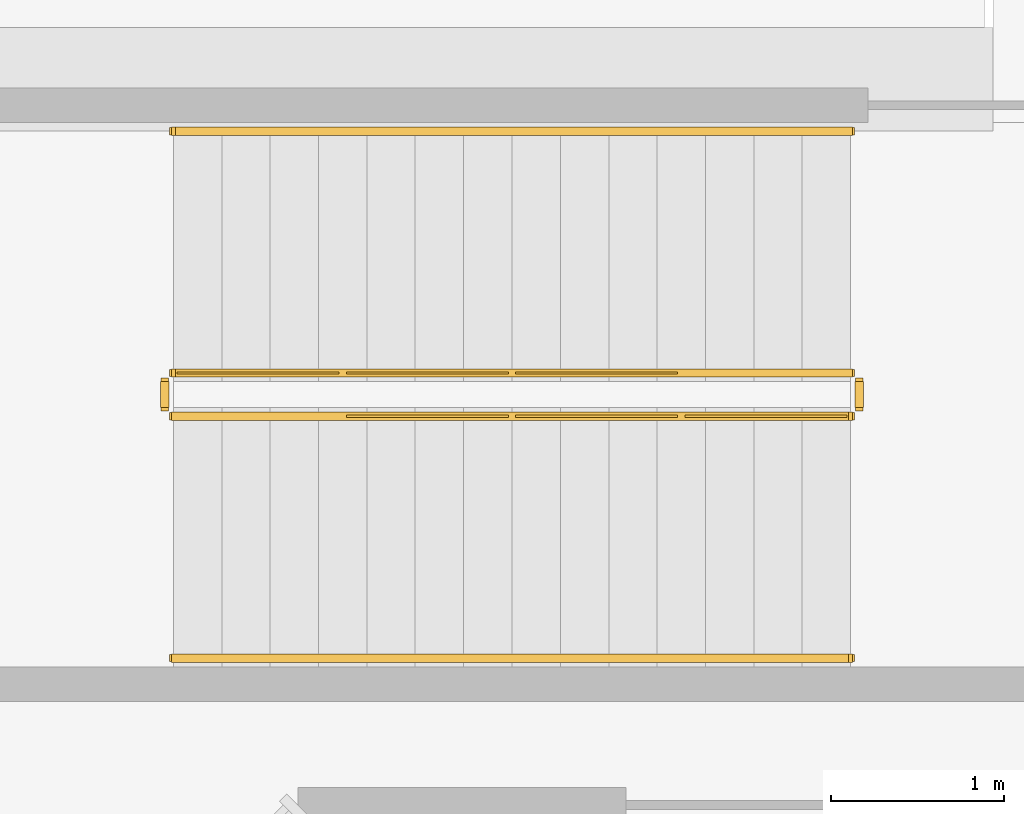
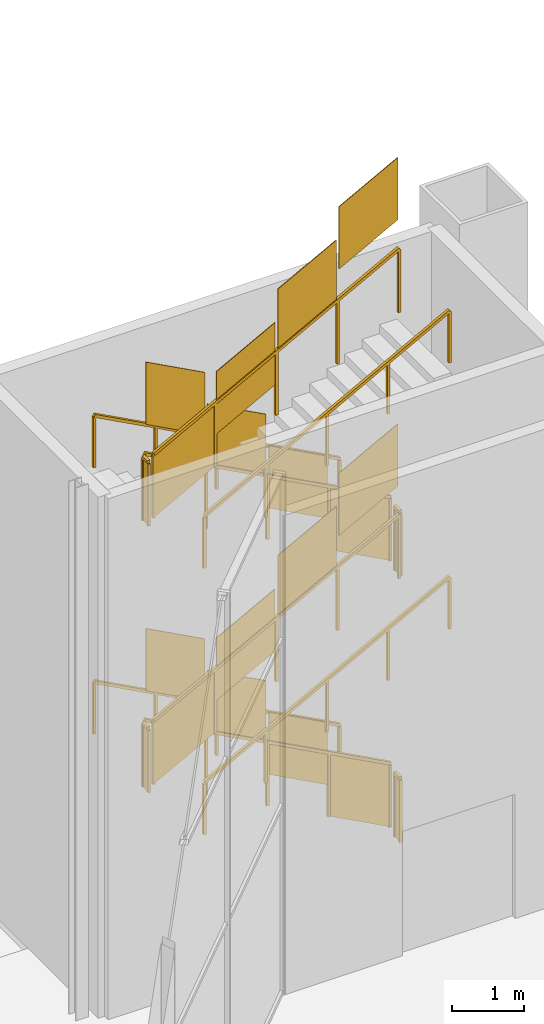
# One storey, part 33 of 38: 12 railings.
"""IFC4 building model written with IfcOpenShell, lengths in metres."""

from ifc_helpers import new_model, si_unit, direction, frame, origin, origin_2d, place, context, subcontext, project, spatial, polyline, rectangle, outline, extrude, material, type_object, element, save


model = new_model("IFC4")

# Units and contexts
model_context = context("Model", 3, precision=1e-05, world=origin(), true_north=direction((0.0, 1.0)))
body_context = subcontext(model_context, "Body", "Model", "MODEL_VIEW")
ifc_project = project(units=[si_unit("LENGTHUNIT", "METRE"), si_unit("AREAUNIT", "SQUARE_METRE"), si_unit("VOLUMEUNIT", "CUBIC_METRE"), si_unit("PLANEANGLEUNIT", "RADIAN"), si_unit("MASSUNIT", "GRAM", prefix="KILO")], contexts=[model_context])

# Site, building, storey
site_placement = place(None, origin())
site = spatial("IfcSite", under=ifc_project, at=site_placement, CompositionType="ELEMENT")
building_placement = place(site_placement, origin())
building = spatial("IfcBuilding", under=site, at=building_placement, Name="Cairn Pilgrim Tower", CompositionType="ELEMENT")
storey_placement = place(building_placement, origin())
storey = spatial("IfcBuildingStorey", under=building, at=storey_placement, Name="L00", CompositionType="ELEMENT", Elevation=0.0)

# Railings
ifc_material = material(Name="Painted steel", Category="steel")
railing_type_1 = type_object("IfcRailingType", Name="PODIUM STAIR GUARD 1100", PredefinedType="GUARDRAIL", material=ifc_material)
railing_1_placement = place(storey_placement, frame((-25.60009765625, 26.5, 0.14990234375)))
element("IfcRailing", 1, at=railing_1_placement, inside=storey, type_object=railing_type_1, Name="L00 ST-HN stair guard 1", PredefinedType="GUARDRAIL", context=body_context, shape_type="SweptSolid", body=[
    extrude(rectangle(XDim=0.048095703125, YDim=0.048095703125, at=origin_2d()), frame((0.0, 0.0, 1.076171875), z_axis=(-0.881466911329, 0.0, 0.472245787945), x_axis=(0.0, -1.0, 0.0)), (0.0, 0.0, 1.0), 4.447021484375),
    extrude(rectangle(XDim=0.0419921875, YDim=0.0419921875, at=origin_2d()), origin(), (0.0, 0.0, 1.0), 1.052001953125),
    extrude(rectangle(XDim=0.0419921875, YDim=0.0419921875, at=origin_2d()), frame((-0.97998046875, 0.0, 0.52490234375)), (0.0, 0.0, 1.0), 1.052001953125),
    extrude(rectangle(XDim=0.0419921875, YDim=0.0419921875, at=origin_2d()), frame((-1.9599609375, 0.0, 1.050048828125)), (0.0, 0.0, 1.0), 1.052001953125),
    extrude(rectangle(XDim=0.0419921875, YDim=0.0419921875, at=origin_2d()), frame((-2.93994140625, 0.0, 1.5751953125)), (0.0, 0.0, 1.0), 1.052001953125),
    extrude(rectangle(XDim=0.0419921875, YDim=0.0419921875, at=origin_2d()), frame((-3.919921875, 0.0, 2.10009765625)), (0.0, 0.0, 1.0), 1.052001953125),
    extrude(outline(polyline([(0.02099609375, 0.01123046875), (0.958984375, 0.513671875), (0.958984375, 1.565673828125), (0.02099609375, 1.063232421875), (0.02099609375, 0.01123046875)])), frame((0.0, -0.005859375, 0.0), z_axis=(0.0, 1.0, 0.0), x_axis=(-1.0, 0.0, 0.0)), (0.0, 0.0, 1.0), 0.011962890625),
    extrude(outline(polyline([(0.02099609375, 0.536376953125), (0.958984375, 1.038818359375), (0.958984375, 2.0908203125), (0.02099609375, 1.58837890625), (0.02099609375, 0.536376953125)])), frame((-0.97998046875, -0.005859375, 0.52490234375), z_axis=(0.0, 1.0, 0.0), x_axis=(-1.0, 0.0, 0.0)), (0.0, 0.0, 1.0), 0.011962890625),
    extrude(outline(polyline([(0.02099609375, 1.061279296875), (0.958984375, 1.563720703125), (0.958984375, 2.61572265625), (0.02099609375, 2.11328125), (0.02099609375, 1.061279296875)])), frame((-1.9599609375, -0.005859375, 1.050048828125), z_axis=(0.0, 1.0, 0.0), x_axis=(-1.0, 0.0, 0.0)), (0.0, 0.0, 1.0), 0.011962890625),
    extrude(outline(polyline([(0.02099609375, 1.58642578125), (0.958984375, 2.0888671875), (0.958984375, 3.140869140625), (0.02099609375, 2.638427734375), (0.02099609375, 1.58642578125)])), frame((-2.93994140625, -0.005859375, 1.5751953125), z_axis=(0.0, 1.0, 0.0), x_axis=(-1.0, 0.0, 0.0)), (0.0, 0.0, 1.0), 0.011962890625),
])
railing_2_placement = place(storey_placement, frame((-29.570068359375, 26.449951171875, 2.25)))
element("IfcRailing", 2, at=railing_2_placement, inside=storey, type_object=railing_type_1, Name="L00 ST-HN stair guard 2", PredefinedType="GUARDRAIL", context=body_context, shape_type="SweptSolid", body=[
    extrude(rectangle(XDim=0.048095703125, YDim=0.048095703125, at=origin_2d()), frame((0.0, 0.0, 1.076171875), z_axis=(0.0, -1.0, 0.0), x_axis=(1.0, 0.0, 0.0)), (0.0, 0.0, 1.0), 0.14990234375),
    extrude(rectangle(XDim=0.0419921875, YDim=0.0419921875, at=origin_2d()), origin(), (0.0, 0.0, 1.0), 1.052001953125),
    extrude(rectangle(XDim=0.0419921875, YDim=0.0419921875, at=origin_2d()), frame((0.0, -0.14990234375, 0.0)), (0.0, 0.0, 1.0), 1.052001953125),
    extrude(outline(polyline([(0.02099609375, 0.0), (0.12890625, 0.0), (0.12890625, 1.052001953125), (0.02099609375, 1.052001953125), (0.02099609375, 0.0)])), frame((0.005859375, 0.0, 0.0), z_axis=(-1.0, 0.0, 0.0), x_axis=(0.0, -1.0, 0.0)), (0.0, 0.0, 1.0), 0.011962890625),
])
railing_3_placement = place(storey_placement, frame((-29.52001953125, 26.25, 2.39990234375)))
element("IfcRailing", 3, at=railing_3_placement, inside=storey, type_object=railing_type_1, Name="L00 ST-HN stair guard 3", PredefinedType="GUARDRAIL", context=body_context, shape_type="SweptSolid", body=[
    extrude(rectangle(XDim=0.048095703125, YDim=0.048095703125, at=origin_2d()), frame((0.0, 0.0, 1.076171875), z_axis=(0.881466911329, 0.0, 0.472245787945), x_axis=(0.0, 1.0, 0.0)), (0.0, 0.0, 1.0), 4.447021484375),
    extrude(rectangle(XDim=0.0419921875, YDim=0.0419921875, at=origin_2d()), origin(), (0.0, 0.0, 1.0), 1.052001953125),
    extrude(rectangle(XDim=0.0419921875, YDim=0.0419921875, at=origin_2d()), frame((0.97998046875, 0.0, 0.52490234375)), (0.0, 0.0, 1.0), 1.052001953125),
    extrude(rectangle(XDim=0.0419921875, YDim=0.0419921875, at=origin_2d()), frame((1.9599609375, 0.0, 1.050048828125)), (0.0, 0.0, 1.0), 1.052001953125),
    extrude(rectangle(XDim=0.0419921875, YDim=0.0419921875, at=origin_2d()), frame((2.93994140625, 0.0, 1.5751953125)), (0.0, 0.0, 1.0), 1.052001953125),
    extrude(rectangle(XDim=0.0419921875, YDim=0.0419921875, at=origin_2d()), frame((3.919921875, 0.0, 2.10009765625)), (0.0, 0.0, 1.0), 1.052001953125),
    extrude(outline(polyline([(0.02099609375, 0.01123046875), (0.958984375, 0.513671875), (0.958984375, 1.565673828125), (0.02099609375, 1.063232421875), (0.02099609375, 0.01123046875)])), frame((0.0, 0.005859375, 0.0), z_axis=(0.0, -1.0, 0.0), x_axis=(1.0, 0.0, 0.0)), (0.0, 0.0, 1.0), 0.011962890625),
    extrude(outline(polyline([(0.02099609375, 0.536376953125), (0.958984375, 1.038818359375), (0.958984375, 2.0908203125), (0.02099609375, 1.58837890625), (0.02099609375, 0.536376953125)])), frame((0.97998046875, 0.005859375, 0.52490234375), z_axis=(0.0, -1.0, 0.0), x_axis=(1.0, 0.0, 0.0)), (0.0, 0.0, 1.0), 0.011962890625),
    extrude(outline(polyline([(0.02099609375, 1.061279296875), (0.958984375, 1.563720703125), (0.958984375, 2.61572265625), (0.02099609375, 2.11328125), (0.02099609375, 1.061279296875)])), frame((1.9599609375, 0.005859375, 1.050048828125), z_axis=(0.0, -1.0, 0.0), x_axis=(1.0, 0.0, 0.0)), (0.0, 0.0, 1.0), 0.011962890625),
    extrude(outline(polyline([(0.02099609375, 1.58642578125), (0.958984375, 2.0888671875), (0.958984375, 3.140869140625), (0.02099609375, 2.638427734375), (0.02099609375, 1.58642578125)])), frame((2.93994140625, 0.005859375, 1.5751953125), z_axis=(0.0, -1.0, 0.0), x_axis=(1.0, 0.0, 0.0)), (0.0, 0.0, 1.0), 0.011962890625),
])
railing_4_placement = place(storey_placement, frame((-25.550048828125, 26.449951171875, 4.5)))
element("IfcRailing", 4, at=railing_4_placement, inside=storey, type_object=railing_type_1, Name="L00 ST-HN stair guard 4", PredefinedType="GUARDRAIL", context=body_context, shape_type="SweptSolid", body=[
    extrude(rectangle(XDim=0.048095703125, YDim=0.048095703125, at=origin_2d()), frame((0.0, 0.0, 1.076171875), z_axis=(0.0, -1.0, 0.0), x_axis=(1.0, 0.0, 0.0)), (0.0, 0.0, 1.0), 0.14990234375),
    extrude(rectangle(XDim=0.0419921875, YDim=0.0419921875, at=origin_2d()), origin(), (0.0, 0.0, 1.0), 1.052001953125),
    extrude(rectangle(XDim=0.0419921875, YDim=0.0419921875, at=origin_2d()), frame((0.0, -0.14990234375, 0.0)), (0.0, 0.0, 1.0), 1.052001953125),
    extrude(outline(polyline([(0.02099609375, 0.0), (0.12890625, 0.0), (0.12890625, 1.052001953125), (0.02099609375, 1.052001953125), (0.02099609375, 0.0)])), frame((0.005859375, 0.0, 0.0), z_axis=(-1.0, 0.0, 0.0), x_axis=(0.0, -1.0, 0.0)), (0.0, 0.0, 1.0), 0.011962890625),
])
railing_5_placement = place(storey_placement, frame((-25.60009765625, 26.5, 4.64990234375)))
element("IfcRailing", 5, at=railing_5_placement, inside=storey, type_object=railing_type_1, Name="L00 ST-HN stair guard 5", PredefinedType="GUARDRAIL", context=body_context, shape_type="SweptSolid", body=[
    extrude(rectangle(XDim=0.048095703125, YDim=0.048095703125, at=origin_2d()), frame((0.0, 0.0, 1.076171875), z_axis=(-0.881466911329, 0.0, 0.472245787945), x_axis=(0.0, -1.0, 0.0)), (0.0, 0.0, 1.0), 4.447021484375),
    extrude(rectangle(XDim=0.0419921875, YDim=0.0419921875, at=origin_2d()), origin(), (0.0, 0.0, 1.0), 1.052001953125),
    extrude(rectangle(XDim=0.0419921875, YDim=0.0419921875, at=origin_2d()), frame((-0.97998046875, 0.0, 0.52490234375)), (0.0, 0.0, 1.0), 1.052001953125),
    extrude(rectangle(XDim=0.0419921875, YDim=0.0419921875, at=origin_2d()), frame((-1.9599609375, 0.0, 1.050048828125)), (0.0, 0.0, 1.0), 1.052001953125),
    extrude(rectangle(XDim=0.0419921875, YDim=0.0419921875, at=origin_2d()), frame((-2.93994140625, 0.0, 1.5751953125)), (0.0, 0.0, 1.0), 1.052001953125),
    extrude(rectangle(XDim=0.0419921875, YDim=0.0419921875, at=origin_2d()), frame((-3.919921875, 0.0, 2.10009765625)), (0.0, 0.0, 1.0), 1.052001953125),
    extrude(outline(polyline([(0.02099609375, 0.01123046875), (0.958984375, 0.513671875), (0.958984375, 1.565673828125), (0.02099609375, 1.063232421875), (0.02099609375, 0.01123046875)])), frame((0.0, -0.005859375, 0.0), z_axis=(0.0, 1.0, 0.0), x_axis=(-1.0, 0.0, 0.0)), (0.0, 0.0, 1.0), 0.011962890625),
    extrude(outline(polyline([(0.02099609375, 0.536376953125), (0.958984375, 1.038818359375), (0.958984375, 2.0908203125), (0.02099609375, 1.58837890625), (0.02099609375, 0.536376953125)])), frame((-0.97998046875, -0.005859375, 0.52490234375), z_axis=(0.0, 1.0, 0.0), x_axis=(-1.0, 0.0, 0.0)), (0.0, 0.0, 1.0), 0.011962890625),
    extrude(outline(polyline([(0.02099609375, 1.061279296875), (0.958984375, 1.563720703125), (0.958984375, 2.61572265625), (0.02099609375, 2.11328125), (0.02099609375, 1.061279296875)])), frame((-1.9599609375, -0.005859375, 1.050048828125), z_axis=(0.0, 1.0, 0.0), x_axis=(-1.0, 0.0, 0.0)), (0.0, 0.0, 1.0), 0.011962890625),
    extrude(outline(polyline([(0.02099609375, 1.58642578125), (0.958984375, 2.0888671875), (0.958984375, 3.140869140625), (0.02099609375, 2.638427734375), (0.02099609375, 1.58642578125)])), frame((-2.93994140625, -0.005859375, 1.5751953125), z_axis=(0.0, 1.0, 0.0), x_axis=(-1.0, 0.0, 0.0)), (0.0, 0.0, 1.0), 0.011962890625),
])
railing_6_placement = place(storey_placement, frame((-29.570068359375, 26.449951171875, 6.75)))
element("IfcRailing", 6, at=railing_6_placement, inside=storey, type_object=railing_type_1, Name="L00 ST-HN stair guard 6", PredefinedType="GUARDRAIL", context=body_context, shape_type="SweptSolid", body=[
    extrude(rectangle(XDim=0.048095703125, YDim=0.048095703125, at=origin_2d()), frame((0.0, 0.0, 1.076171875), z_axis=(0.0, -1.0, 0.0), x_axis=(1.0, 0.0, 0.0)), (0.0, 0.0, 1.0), 0.14990234375),
    extrude(rectangle(XDim=0.0419921875, YDim=0.0419921875, at=origin_2d()), origin(), (0.0, 0.0, 1.0), 1.052001953125),
    extrude(rectangle(XDim=0.0419921875, YDim=0.0419921875, at=origin_2d()), frame((0.0, -0.14990234375, 0.0)), (0.0, 0.0, 1.0), 1.052001953125),
    extrude(outline(polyline([(0.02099609375, 0.0), (0.12890625, 0.0), (0.12890625, 1.052001953125), (0.02099609375, 1.052001953125), (0.02099609375, 0.0)])), frame((0.005859375, 0.0, 0.0), z_axis=(-1.0, 0.0, 0.0), x_axis=(0.0, -1.0, 0.0)), (0.0, 0.0, 1.0), 0.011962890625),
])
railing_7_placement = place(storey_placement, frame((-29.52001953125, 26.25, 6.89990234375)))
element("IfcRailing", 7, at=railing_7_placement, inside=storey, type_object=railing_type_1, Name="L00 ST-HN stair guard 7", PredefinedType="GUARDRAIL", context=body_context, shape_type="SweptSolid", body=[
    extrude(rectangle(XDim=0.048095703125, YDim=0.048095703125, at=origin_2d()), frame((0.0, 0.0, 1.076171875), z_axis=(0.881466911329, 0.0, 0.472245787945), x_axis=(0.0, 1.0, 0.0)), (0.0, 0.0, 1.0), 4.447021484375),
    extrude(rectangle(XDim=0.0419921875, YDim=0.0419921875, at=origin_2d()), origin(), (0.0, 0.0, 1.0), 1.052001953125),
    extrude(rectangle(XDim=0.0419921875, YDim=0.0419921875, at=origin_2d()), frame((0.97998046875, 0.0, 0.52490234375)), (0.0, 0.0, 1.0), 1.052001953125),
    extrude(rectangle(XDim=0.0419921875, YDim=0.0419921875, at=origin_2d()), frame((1.9599609375, 0.0, 1.050048828125)), (0.0, 0.0, 1.0), 1.052001953125),
    extrude(rectangle(XDim=0.0419921875, YDim=0.0419921875, at=origin_2d()), frame((2.93994140625, 0.0, 1.5751953125)), (0.0, 0.0, 1.0), 1.052001953125),
    extrude(rectangle(XDim=0.0419921875, YDim=0.0419921875, at=origin_2d()), frame((3.919921875, 0.0, 2.10009765625)), (0.0, 0.0, 1.0), 1.052001953125),
    extrude(outline(polyline([(0.02099609375, 0.01123046875), (0.958984375, 0.513671875), (0.958984375, 1.565673828125), (0.02099609375, 1.063232421875), (0.02099609375, 0.01123046875)])), frame((0.0, 0.005859375, 0.0), z_axis=(0.0, -1.0, 0.0), x_axis=(1.0, 0.0, 0.0)), (0.0, 0.0, 1.0), 0.011962890625),
    extrude(outline(polyline([(0.02099609375, 0.536376953125), (0.958984375, 1.038818359375), (0.958984375, 2.0908203125), (0.02099609375, 1.58837890625), (0.02099609375, 0.536376953125)])), frame((0.97998046875, 0.005859375, 0.52490234375), z_axis=(0.0, -1.0, 0.0), x_axis=(1.0, 0.0, 0.0)), (0.0, 0.0, 1.0), 0.011962890625),
    extrude(outline(polyline([(0.02099609375, 1.061279296875), (0.958984375, 1.563720703125), (0.958984375, 2.61572265625), (0.02099609375, 2.11328125), (0.02099609375, 1.061279296875)])), frame((1.9599609375, 0.005859375, 1.050048828125), z_axis=(0.0, -1.0, 0.0), x_axis=(1.0, 0.0, 0.0)), (0.0, 0.0, 1.0), 0.011962890625),
    extrude(outline(polyline([(0.02099609375, 1.58642578125), (0.958984375, 2.0888671875), (0.958984375, 3.140869140625), (0.02099609375, 2.638427734375), (0.02099609375, 1.58642578125)])), frame((2.93994140625, 0.005859375, 1.5751953125), z_axis=(0.0, -1.0, 0.0), x_axis=(1.0, 0.0, 0.0)), (0.0, 0.0, 1.0), 0.011962890625),
])
railing_8_placement = place(storey_placement, frame((-25.550048828125, 26.449951171875, 0.0)))
element("IfcRailing", 8, at=railing_8_placement, inside=storey, type_object=railing_type_1, Name="L00 ST-HN stair guard 8", PredefinedType="GUARDRAIL", context=body_context, shape_type="SweptSolid", body=[
    extrude(rectangle(XDim=0.048095703125, YDim=0.048095703125, at=origin_2d()), frame((0.0, 0.0, 1.076171875), z_axis=(0.0, -1.0, 0.0), x_axis=(1.0, 0.0, 0.0)), (0.0, 0.0, 1.0), 0.14990234375),
    extrude(rectangle(XDim=0.0419921875, YDim=0.0419921875, at=origin_2d()), origin(), (0.0, 0.0, 1.0), 1.052001953125),
    extrude(rectangle(XDim=0.0419921875, YDim=0.0419921875, at=origin_2d()), frame((0.0, -0.14990234375, 0.0)), (0.0, 0.0, 1.0), 1.052001953125),
    extrude(outline(polyline([(0.02099609375, 0.0), (0.12890625, 0.0), (0.12890625, 1.052001953125), (0.02099609375, 1.052001953125), (0.02099609375, 0.0)])), frame((0.005859375, 0.0, 0.0), z_axis=(-1.0, 0.0, 0.0), x_axis=(0.0, -1.0, 0.0)), (0.0, 0.0, 1.0), 0.011962890625),
])
railing_type_2 = type_object("IfcRailingType", Name="PODIUM STAIR HANDRAIL 900", PredefinedType="HANDRAIL", material=ifc_material)
railing_9_placement = place(storey_placement, frame((-25.60009765625, 27.89990234375, 0.14990234375)))
element("IfcRailing", 9, at=railing_9_placement, inside=storey, type_object=railing_type_2, Name="L00 ST-HN stair handrail 1", PredefinedType="HANDRAIL", context=body_context, shape_type="SweptSolid", body=[
    extrude(rectangle(XDim=0.048095703125, YDim=0.048095703125, at=origin_2d()), frame((0.0, 0.0, 0.8759765625), z_axis=(-0.881466911329, 0.0, 0.472245787945), x_axis=(0.0, -1.0, 0.0)), (0.0, 0.0, 1.0), 4.447021484375),
    extrude(rectangle(XDim=0.0419921875, YDim=0.0419921875, at=origin_2d()), origin(), (0.0, 0.0, 1.0), 0.851806640625),
    extrude(rectangle(XDim=0.0419921875, YDim=0.0419921875, at=origin_2d()), frame((-0.97998046875, 0.0, 0.52490234375)), (0.0, 0.0, 1.0), 0.851806640625),
    extrude(rectangle(XDim=0.0419921875, YDim=0.0419921875, at=origin_2d()), frame((-1.9599609375, 0.0, 1.050048828125)), (0.0, 0.0, 1.0), 0.851806640625),
    extrude(rectangle(XDim=0.0419921875, YDim=0.0419921875, at=origin_2d()), frame((-2.93994140625, 0.0, 1.5751953125)), (0.0, 0.0, 1.0), 0.851806640625),
    extrude(rectangle(XDim=0.0419921875, YDim=0.0419921875, at=origin_2d()), frame((-3.919921875, 0.0, 2.10009765625)), (0.0, 0.0, 1.0), 0.851806640625),
])
railing_10_placement = place(storey_placement, frame((-29.52001953125, 24.85009765625, 2.39990234375)))
element("IfcRailing", 10, at=railing_10_placement, inside=storey, type_object=railing_type_2, Name="L00 ST-HN stair handrail 2", PredefinedType="HANDRAIL", context=body_context, shape_type="SweptSolid", body=[
    extrude(rectangle(XDim=0.048095703125, YDim=0.048095703125, at=origin_2d()), frame((0.0, 0.0, 0.8759765625), z_axis=(0.881466911329, 0.0, 0.472245787945), x_axis=(0.0, 1.0, 0.0)), (0.0, 0.0, 1.0), 4.447021484375),
    extrude(rectangle(XDim=0.0419921875, YDim=0.0419921875, at=origin_2d()), origin(), (0.0, 0.0, 1.0), 0.851806640625),
    extrude(rectangle(XDim=0.0419921875, YDim=0.0419921875, at=origin_2d()), frame((0.97998046875, 0.0, 0.52490234375)), (0.0, 0.0, 1.0), 0.851806640625),
    extrude(rectangle(XDim=0.0419921875, YDim=0.0419921875, at=origin_2d()), frame((1.9599609375, 0.0, 1.050048828125)), (0.0, 0.0, 1.0), 0.851806640625),
    extrude(rectangle(XDim=0.0419921875, YDim=0.0419921875, at=origin_2d()), frame((2.93994140625, 0.0, 1.5751953125)), (0.0, 0.0, 1.0), 0.851806640625),
    extrude(rectangle(XDim=0.0419921875, YDim=0.0419921875, at=origin_2d()), frame((3.919921875, 0.0, 2.10009765625)), (0.0, 0.0, 1.0), 0.851806640625),
])
railing_11_placement = place(storey_placement, frame((-25.60009765625, 27.89990234375, 4.64990234375)))
element("IfcRailing", 11, at=railing_11_placement, inside=storey, type_object=railing_type_2, Name="L00 ST-HN stair handrail 3", PredefinedType="HANDRAIL", context=body_context, shape_type="SweptSolid", body=[
    extrude(rectangle(XDim=0.048095703125, YDim=0.048095703125, at=origin_2d()), frame((0.0, 0.0, 0.8759765625), z_axis=(-0.881466911329, 0.0, 0.472245787945), x_axis=(0.0, -1.0, 0.0)), (0.0, 0.0, 1.0), 4.447021484375),
    extrude(rectangle(XDim=0.0419921875, YDim=0.0419921875, at=origin_2d()), origin(), (0.0, 0.0, 1.0), 0.851806640625),
    extrude(rectangle(XDim=0.0419921875, YDim=0.0419921875, at=origin_2d()), frame((-0.97998046875, 0.0, 0.52490234375)), (0.0, 0.0, 1.0), 0.851806640625),
    extrude(rectangle(XDim=0.0419921875, YDim=0.0419921875, at=origin_2d()), frame((-1.9599609375, 0.0, 1.050048828125)), (0.0, 0.0, 1.0), 0.851806640625),
    extrude(rectangle(XDim=0.0419921875, YDim=0.0419921875, at=origin_2d()), frame((-2.93994140625, 0.0, 1.5751953125)), (0.0, 0.0, 1.0), 0.851806640625),
    extrude(rectangle(XDim=0.0419921875, YDim=0.0419921875, at=origin_2d()), frame((-3.919921875, 0.0, 2.10009765625)), (0.0, 0.0, 1.0), 0.851806640625),
])
railing_12_placement = place(storey_placement, frame((-29.52001953125, 24.85009765625, 6.89990234375)))
element("IfcRailing", 12, at=railing_12_placement, inside=storey, type_object=railing_type_2, Name="L00 ST-HN stair handrail 4", PredefinedType="HANDRAIL", context=body_context, shape_type="SweptSolid", body=[
    extrude(rectangle(XDim=0.048095703125, YDim=0.048095703125, at=origin_2d()), frame((0.0, 0.0, 0.8759765625), z_axis=(0.881466911329, 0.0, 0.472245787945), x_axis=(0.0, 1.0, 0.0)), (0.0, 0.0, 1.0), 4.447021484375),
    extrude(rectangle(XDim=0.0419921875, YDim=0.0419921875, at=origin_2d()), origin(), (0.0, 0.0, 1.0), 0.851806640625),
    extrude(rectangle(XDim=0.0419921875, YDim=0.0419921875, at=origin_2d()), frame((0.97998046875, 0.0, 0.52490234375)), (0.0, 0.0, 1.0), 0.851806640625),
    extrude(rectangle(XDim=0.0419921875, YDim=0.0419921875, at=origin_2d()), frame((1.9599609375, 0.0, 1.050048828125)), (0.0, 0.0, 1.0), 0.851806640625),
    extrude(rectangle(XDim=0.0419921875, YDim=0.0419921875, at=origin_2d()), frame((2.93994140625, 0.0, 1.5751953125)), (0.0, 0.0, 1.0), 0.851806640625),
    extrude(rectangle(XDim=0.0419921875, YDim=0.0419921875, at=origin_2d()), frame((3.919921875, 0.0, 2.10009765625)), (0.0, 0.0, 1.0), 0.851806640625),
])

save(model, "model.ifc")
